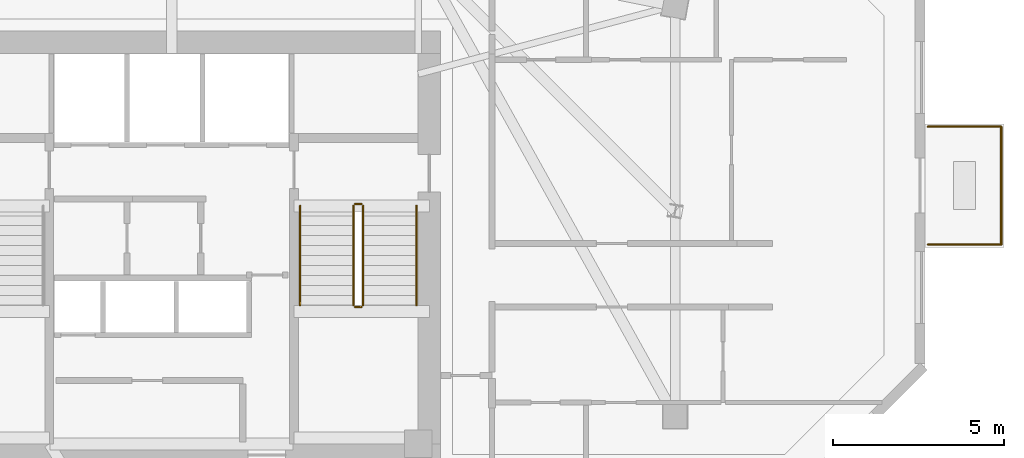
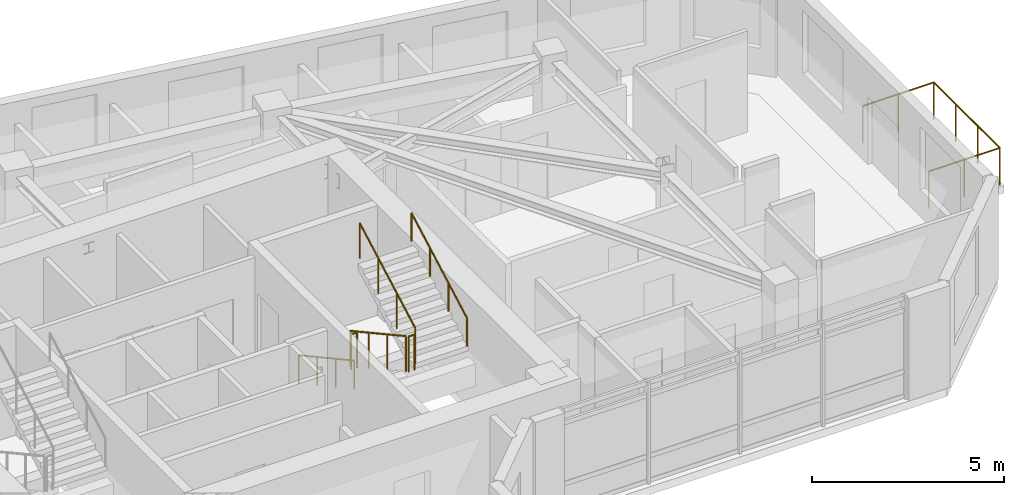
# One storey, part 10 of 10: 9 railings.
"""IFC4 building model written with IfcOpenShell, lengths in metres."""

from ifc_helpers import new_model, si_unit, direction, frame, origin, origin_2d, place, context, subcontext, project, spatial, circle, extrude, material, type_object, element, save


model = new_model("IFC4")

# Units and contexts
model_context = context("Model", 3, precision=1e-05, world=origin(), true_north=direction((0.0, 1.0)))
body_context = subcontext(model_context, "Body", "Model", "MODEL_VIEW")
ifc_project = project(units=[si_unit("LENGTHUNIT", "METRE"), si_unit("AREAUNIT", "SQUARE_METRE"), si_unit("VOLUMEUNIT", "CUBIC_METRE"), si_unit("PLANEANGLEUNIT", "RADIAN"), si_unit("MASSUNIT", "GRAM", prefix="KILO")], contexts=[model_context])

# Site, building, storey
site_placement = place(None, origin())
site = spatial("IfcSite", under=ifc_project, at=site_placement, CompositionType="ELEMENT")
building_placement = place(site_placement, origin())
building = spatial("IfcBuilding", under=site, at=building_placement, Name="Calvemar Wedge Station Tower", CompositionType="ELEMENT")
storey_placement = place(building_placement, frame((0.0, 0.0, 218.39990234375)))
storey = spatial("IfcBuildingStorey", under=building, at=storey_placement, Name="L55", CompositionType="ELEMENT", Elevation=218.39990234375)

# Railings
ifc_material_1 = material(Name="Stainless steel AISI 316L", Category="steel")
railing_type_1 = type_object("IfcRailingType", Name="GRD-TERR-1200", PredefinedType="GUARDRAIL", material=ifc_material_1)
railing_1_placement = place(storey_placement, frame((45.8798828125, 43.4619140625, 0.0)))
element("IfcRailing", 1, at=railing_1_placement, inside=storey, type_object=railing_type_1, Name="Storey L55 Spiral Terrace Guard 2", PredefinedType="GUARDRAIL", context=body_context, shape_type="SweptSolid", body=[
    extrude(circle(Radius=0.02392578125, at=origin_2d()), frame((0.0, 0.0, 1.17578125), z_axis=(1.0, 0.0, 0.0), x_axis=(0.0, 1.0, 0.0)), (0.0, 0.0, 1.0), 2.14013671875),
    extrude(circle(Radius=0.02099609375, at=origin_2d()), origin(), (0.0, 0.0, 1.0), 1.15185546875),
    extrude(circle(Radius=0.02099609375, at=origin_2d()), frame((1.070068359375, 0.0, 0.0)), (0.0, 0.0, 1.0), 1.15185546875),
    extrude(circle(Radius=0.02099609375, at=origin_2d()), frame((2.14013671875, 0.0, 0.0)), (0.0, 0.0, 1.0), 1.15185546875),
])
railing_2_placement = place(storey_placement, frame((48.02001953125, 43.4619140625, 0.0)))
element("IfcRailing", 2, at=railing_2_placement, inside=storey, type_object=railing_type_1, Name="Storey L55 Spiral Terrace Guard 3", PredefinedType="GUARDRAIL", context=body_context, shape_type="SweptSolid", body=[
    extrude(circle(Radius=0.02392578125, at=origin_2d()), frame((0.0, 0.0, 1.17578125), z_axis=(0.0, -1.0, 0.0), x_axis=(1.0, 0.0, 0.0)), (0.0, 0.0, 1.0), 3.43994140625),
    extrude(circle(Radius=0.02099609375, at=origin_2d()), origin(), (0.0, 0.0, 1.0), 1.15185546875),
    extrude(circle(Radius=0.02099609375, at=origin_2d()), frame((0.0, -1.146728515625, 0.0)), (0.0, 0.0, 1.0), 1.15185546875),
    extrude(circle(Radius=0.02099609375, at=origin_2d()), frame((0.0, -2.293212890625, 0.0)), (0.0, 0.0, 1.0), 1.15185546875),
    extrude(circle(Radius=0.02099609375, at=origin_2d()), frame((0.0, -3.43994140625, 0.0)), (0.0, 0.0, 1.0), 1.15185546875),
])
railing_3_placement = place(storey_placement, frame((48.02001953125, 40.02197265625, 0.0)))
element("IfcRailing", 3, at=railing_3_placement, inside=storey, type_object=railing_type_1, Name="Storey L55 Spiral Terrace Guard 4", PredefinedType="GUARDRAIL", context=body_context, shape_type="SweptSolid", body=[
    extrude(circle(Radius=0.02392578125, at=origin_2d()), frame((0.0, 0.0, 1.17578125), z_axis=(-1.0, 0.0, 0.0), x_axis=(0.0, -1.0, 0.0)), (0.0, 0.0, 1.0), 2.14013671875),
    extrude(circle(Radius=0.02099609375, at=origin_2d()), origin(), (0.0, 0.0, 1.0), 1.15185546875),
    extrude(circle(Radius=0.02099609375, at=origin_2d()), frame((-1.070068359375, 0.0, 0.0)), (0.0, 0.0, 1.0), 1.15185546875),
    extrude(circle(Radius=0.02099609375, at=origin_2d()), frame((-2.14013671875, 0.0, 0.0)), (0.0, 0.0, 1.0), 1.15185546875),
])
railing_type_2 = type_object("IfcRailingType", Name="RL-HANDRAIL-920", PredefinedType="HANDRAIL", material=ifc_material_1)
railing_4_placement = place(storey_placement, frame((27.550048828125, 41.14990234375, 0.1591796875)))
element("IfcRailing", 4, at=railing_4_placement, inside=storey, type_object=railing_type_2, Name="L55 ST-C2 stair handrail 1", PredefinedType="HANDRAIL", context=body_context, shape_type="SweptSolid", body=[
    extrude(circle(Radius=0.02392578125, at=origin_2d()), frame((0.0, 0.0, 0.89599609375), z_axis=(0.0, -0.876742130028, 0.480960744171), x_axis=(1.0, 0.0, 0.0)), (0.0, 0.0, 1.0), 3.3076171875),
    extrude(circle(Radius=0.02099609375, at=origin_2d()), origin(), (0.0, 0.0, 1.0), 0.871826171875),
    extrude(circle(Radius=0.02099609375, at=origin_2d()), frame((0.0, -0.966552734375, 0.5302734375)), (0.0, 0.0, 1.0), 0.871826171875),
    extrude(circle(Radius=0.02099609375, at=origin_2d()), frame((0.0, -1.933349609375, 1.060546875)), (0.0, 0.0, 1.0), 0.871826171875),
    extrude(circle(Radius=0.02099609375, at=origin_2d()), frame((0.0, -2.89990234375, 1.5908203125)), (0.0, 0.0, 1.0), 0.871826171875),
])
railing_5_placement = place(storey_placement, frame((30.949951171875, 38.25, 1.9091796875)))
element("IfcRailing", 5, at=railing_5_placement, inside=storey, type_object=railing_type_2, Name="L55 ST-C2 stair handrail 2", PredefinedType="HANDRAIL", context=body_context, shape_type="SweptSolid", body=[
    extrude(circle(Radius=0.02392578125, at=origin_2d()), frame((0.0, 0.0, 0.89599609375), z_axis=(0.0, 0.876742130028, 0.480960744171), x_axis=(-1.0, 0.0, 0.0)), (0.0, 0.0, 1.0), 3.3076171875),
    extrude(circle(Radius=0.02099609375, at=origin_2d()), origin(), (0.0, 0.0, 1.0), 0.871826171875),
    extrude(circle(Radius=0.02099609375, at=origin_2d()), frame((0.0, 0.966552734375, 0.5302734375)), (0.0, 0.0, 1.0), 0.871826171875),
    extrude(circle(Radius=0.02099609375, at=origin_2d()), frame((0.0, 1.933349609375, 1.060546875)), (0.0, 0.0, 1.0), 0.871826171875),
    extrude(circle(Radius=0.02099609375, at=origin_2d()), frame((0.0, 2.89990234375, 1.5908203125)), (0.0, 0.0, 1.0), 0.871826171875),
])
ifc_material_2 = material(Name="Painted steel guardrail ASTM A500 Grade C", Category="steel")
railing_type_3 = type_object("IfcRailingType", Name="RL-STAIR-GUARD-1150", PredefinedType="GUARDRAIL", material=ifc_material_2)
railing_6_placement = place(storey_placement, frame((29.110107421875, 41.14990234375, 0.1591796875)))
element("IfcRailing", 6, at=railing_6_placement, inside=storey, type_object=railing_type_3, Name="L55 ST-C2 stair guard 1", PredefinedType="GUARDRAIL", context=body_context, shape_type="SweptSolid", body=[
    extrude(circle(Radius=0.02392578125, at=origin_2d()), frame((0.0, 0.0, 1.1259765625), z_axis=(0.0, -0.876742130028, 0.480960744171), x_axis=(1.0, 0.0, 0.0)), (0.0, 0.0, 1.0), 3.3076171875),
    extrude(circle(Radius=0.02099609375, at=origin_2d()), origin(), (0.0, 0.0, 1.0), 1.101806640625),
    extrude(circle(Radius=0.02099609375, at=origin_2d()), frame((0.0, -0.966552734375, 0.5302734375)), (0.0, 0.0, 1.0), 1.101806640625),
    extrude(circle(Radius=0.02099609375, at=origin_2d()), frame((0.0, -1.933349609375, 1.060546875)), (0.0, 0.0, 1.0), 1.101806640625),
    extrude(circle(Radius=0.02099609375, at=origin_2d()), frame((0.0, -2.89990234375, 1.5908203125)), (0.0, 0.0, 1.0), 1.101806640625),
])
railing_7_placement = place(storey_placement, frame((29.159912109375, 38.199951171875, 1.75)))
element("IfcRailing", 7, at=railing_7_placement, inside=storey, type_object=railing_type_3, Name="L55 ST-C2 stair guard 2", PredefinedType="GUARDRAIL", context=body_context, shape_type="SweptSolid", body=[
    extrude(circle(Radius=0.02392578125, at=origin_2d()), frame((0.0, 0.0, 1.1259765625), z_axis=(1.0, 0.0, 0.0), x_axis=(0.0, 1.0, 0.0)), (0.0, 0.0, 1.0), 0.18017578125),
    extrude(circle(Radius=0.02099609375, at=origin_2d()), origin(), (0.0, 0.0, 1.0), 1.101806640625),
    extrude(circle(Radius=0.02099609375, at=origin_2d()), frame((0.18017578125, 0.0, 0.0)), (0.0, 0.0, 1.0), 1.101806640625),
])
railing_8_placement = place(storey_placement, frame((29.389892578125, 38.25, 1.9091796875)))
element("IfcRailing", 8, at=railing_8_placement, inside=storey, type_object=railing_type_3, Name="L55 ST-C2 stair guard 3", PredefinedType="GUARDRAIL", context=body_context, shape_type="SweptSolid", body=[
    extrude(circle(Radius=0.02392578125, at=origin_2d()), frame((0.0, 0.0, 1.1259765625), z_axis=(0.0, 0.876742130028, 0.480960744171), x_axis=(-1.0, 0.0, 0.0)), (0.0, 0.0, 1.0), 3.3076171875),
    extrude(circle(Radius=0.02099609375, at=origin_2d()), origin(), (0.0, 0.0, 1.0), 1.101806640625),
    extrude(circle(Radius=0.02099609375, at=origin_2d()), frame((0.0, 0.966552734375, 0.5302734375)), (0.0, 0.0, 1.0), 1.101806640625),
    extrude(circle(Radius=0.02099609375, at=origin_2d()), frame((0.0, 1.933349609375, 1.060546875)), (0.0, 0.0, 1.0), 1.101806640625),
    extrude(circle(Radius=0.02099609375, at=origin_2d()), frame((0.0, 2.89990234375, 1.5908203125)), (0.0, 0.0, 1.0), 1.101806640625),
])
railing_9_placement = place(storey_placement, frame((29.159912109375, 41.199951171875, 0.0)))
element("IfcRailing", 9, at=railing_9_placement, inside=storey, type_object=railing_type_3, Name="L55 ST-C2 stair guard 4", PredefinedType="GUARDRAIL", context=body_context, shape_type="SweptSolid", body=[
    extrude(circle(Radius=0.02392578125, at=origin_2d()), frame((0.0, 0.0, 1.1259765625), z_axis=(1.0, 0.0, 0.0), x_axis=(0.0, 1.0, 0.0)), (0.0, 0.0, 1.0), 0.18017578125),
    extrude(circle(Radius=0.02099609375, at=origin_2d()), origin(), (0.0, 0.0, 1.0), 1.101806640625),
    extrude(circle(Radius=0.02099609375, at=origin_2d()), frame((0.18017578125, 0.0, 0.0)), (0.0, 0.0, 1.0), 1.101806640625),
])

save(model, "model.ifc")
